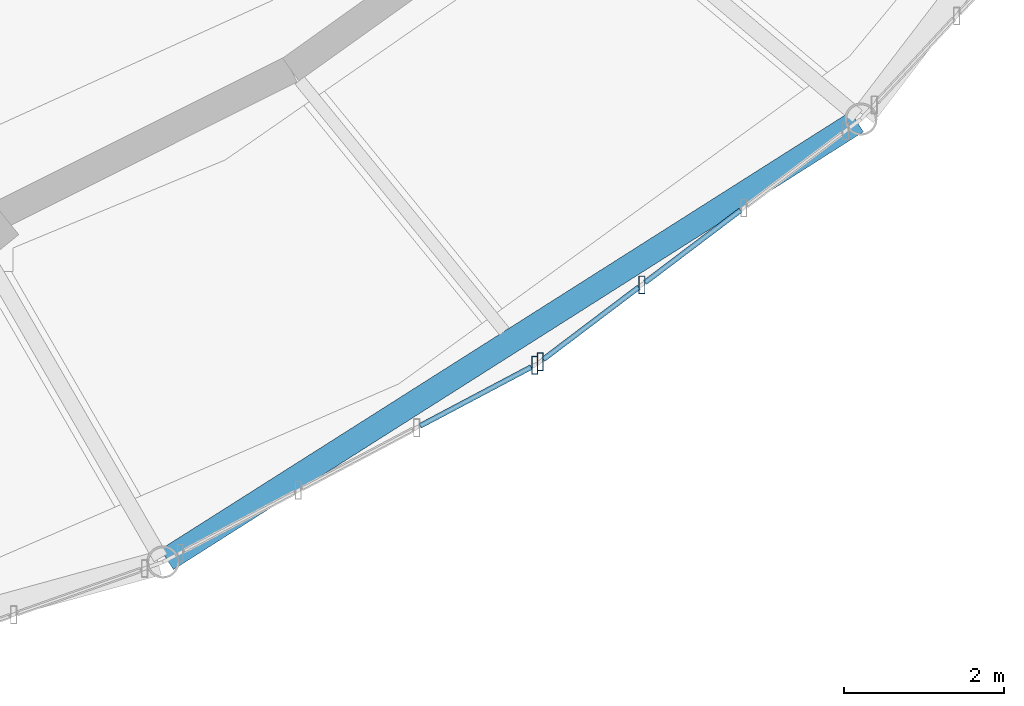
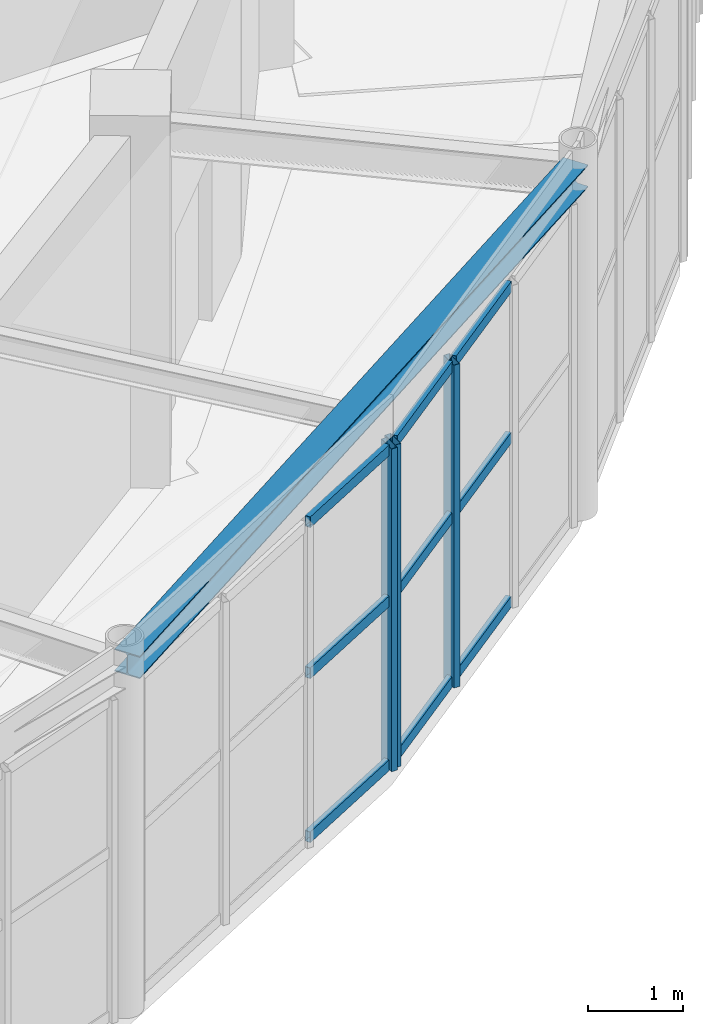
# One storey, part 36 of 100: 12 members, 1 beam, 2 elements without a shape of their own.
"""IFC4 building model written with IfcOpenShell, lengths in metres."""

import ifcopenshell
import ifcopenshell.guid

model = None  # the IFC model being written
_history = None  # IfcOwnerHistory: only IFC2X3 demands one
_inside = {}  # id of a spatial element -> (the spatial element, [elements in it])
_under = {}  # id of a project, library or spatial element -> (it, [spatial elements below it])
_declared = {}  # id of a project -> (the project, [libraries it declares])
_typed = {}  # id of a type object -> (the type object, [elements of that type])
_made_of = {}  # id of a material, layer set ... -> (it, [elements and type objects made of it])


def new_model(schema):
    """Start an empty IFC model of exactly this schema.

    Asked for "IFC4X3", IfcOpenShell would pick the latest addendum, in which some entities
    have other attributes; the version numbers below select the first issue.
    IFC2X3 requires an IfcOwnerHistory on every rooted entity: one is made here for all.
    """
    global model, _history
    if schema == "IFC4X3":
        model = ifcopenshell.file(schema_version=(4, 3, 0, 0))
    else:
        model = ifcopenshell.file(schema=schema)
    _inside.clear()
    _under.clear()
    _declared.clear()
    _typed.clear()
    _made_of.clear()
    _history = None
    if model.schema == "IFC2X3":
        org = make("IfcOrganization", Name="unknown")
        user = make(
            "IfcPersonAndOrganization",
            ThePerson=make("IfcPerson", FamilyName="unknown"),
            TheOrganization=org,
        )
        app = make(
            "IfcApplication",
            ApplicationDeveloper=org,
            Version="unknown",
            ApplicationFullName="unknown",
            ApplicationIdentifier="unknown",
        )
        _history = make(
            "IfcOwnerHistory",
            OwningUser=user,
            OwningApplication=app,
            ChangeAction="ADDED",
            CreationDate=0,
        )
    return model


def make(cls, **values):
    """One entity of the class cls with the attributes given. An attribute that is None is left unset."""
    return model.create_entity(
        cls, **{name: value for name, value in values.items() if value is not None}
    )


def rooted(cls, **values):
    """An entity with a GlobalId (a new one), such as an element, a storey or a relation."""
    return make(cls, GlobalId=ifcopenshell.guid.new(), OwnerHistory=_history, **values)


def si_unit(unit_type, name, prefix=None):
    """IfcSIUnit, for example si_unit("LENGTHUNIT", "METRE", prefix="MILLI")."""
    return make("IfcSIUnit", UnitType=unit_type, Prefix=prefix, Name=name)


def assignment(units):
    """IfcUnitAssignment: the units of a project."""
    return None if units is None else make("IfcUnitAssignment", Units=units)


def point(xyz):
    """IfcCartesianPoint."""
    return None if xyz is None else make("IfcCartesianPoint", Coordinates=xyz)


def direction(xyz):
    """IfcDirection."""
    return None if xyz is None else make("IfcDirection", DirectionRatios=xyz)


def frame(location, z_axis=None, x_axis=None):
    """IfcAxis2Placement3D, a coordinate frame: its origin and axes. An axis left out is left unset."""
    return make(
        "IfcAxis2Placement3D",
        Location=point(location),
        Axis=direction(z_axis),
        RefDirection=direction(x_axis),
    )


def frame_2d(location, x_axis=None):
    """IfcAxis2Placement2D, a coordinate frame in the plane: its origin and x axis."""
    return make(
        "IfcAxis2Placement2D", Location=point(location), RefDirection=direction(x_axis)
    )


def origin():
    """The frame at (0, 0, 0) with its axes left unset."""
    return frame((0.0, 0.0, 0.0))


def origin_2d():
    """The frame at (0, 0) in the plane with its x axis left unset."""
    return frame_2d((0.0, 0.0))


def place(relative_to, where):
    """IfcLocalPlacement: puts the frame where relative to a parent placement (None: the world)."""
    return make(
        "IfcLocalPlacement", PlacementRelTo=relative_to, RelativePlacement=where
    )


def context(
    kind, dimensions, precision=None, world=None, true_north=None, identifier=None
):
    """IfcGeometricRepresentationContext, for example the 3D "Model" context."""
    return make(
        "IfcGeometricRepresentationContext",
        ContextIdentifier=identifier,
        ContextType=kind,
        CoordinateSpaceDimension=dimensions,
        Precision=precision,
        WorldCoordinateSystem=world,
        TrueNorth=true_north,
    )


def subcontext(parent, identifier, kind, view, scale=None):
    """IfcGeometricRepresentationSubContext, for example "Body" below "Model"."""
    return make(
        "IfcGeometricRepresentationSubContext",
        ContextIdentifier=identifier,
        ContextType=kind,
        ParentContext=parent,
        TargetScale=scale,
        TargetView=view,
    )


def project(units=None, contexts=None):
    """IfcProject with its units and contexts."""
    return rooted(
        "IfcProject",
        Name="project",
        RepresentationContexts=contexts,
        UnitsInContext=assignment(units),
    )


def spatial(cls, under=None, at=None, **own):
    """A site, building, storey or space (cls), placed at a placement, below another one or the project."""
    s = rooted(cls, ObjectPlacement=at, **own)
    if under is not None:
        _under.setdefault(under.id(), (under, []))[1].append(s)
    return s


def profile(cls, at=None, kind="AREA", **sizes):
    """A parametric profile (cls). Its sizes go by their IFC names, for example OverallWidth=200.0."""
    return make(cls, ProfileType=kind, Position=at, **sizes)


def hollow_rectangle(**sizes):
    """IfcRectangleHollowProfileDef."""
    return profile("IfcRectangleHollowProfileDef", **sizes)


def i_section(**sizes):
    """IfcIShapeProfileDef."""
    return profile("IfcIShapeProfileDef", **sizes)


def extrude(swept, where, along, depth):
    """IfcExtrudedAreaSolid: the profile swept, set in the frame where, extruded along a direction by depth."""
    return make(
        "IfcExtrudedAreaSolid",
        SweptArea=swept,
        Position=where,
        ExtrudedDirection=direction(along),
        Depth=depth,
    )


def shape(context_of_items, identifier, shape_type, items):
    """IfcShapeRepresentation: the items that make up one representation, for example the "Body"."""
    return make(
        "IfcShapeRepresentation",
        ContextOfItems=context_of_items,
        RepresentationIdentifier=identifier,
        RepresentationType=shape_type,
        Items=items,
    )


def material(Name=None, Category=None):
    """IfcMaterial."""
    return make("IfcMaterial", Name=Name, Category=Category)


def material_profile(
    of_material, cross_section, Name=None, Category=None, Priority=None
):
    """IfcMaterialProfile: a cross section and its material."""
    return make(
        "IfcMaterialProfile",
        Name=Name,
        Material=of_material,
        Profile=cross_section,
        Priority=Priority,
        Category=Category,
    )


def profile_set(profiles, Name=None, composite=None):
    """IfcMaterialProfileSet."""
    return make(
        "IfcMaterialProfileSet",
        Name=Name,
        MaterialProfiles=profiles,
        CompositeProfile=composite,
    )


def made_of(thing, what):
    """Note that an element or type object is made of a material, layer set ...; save() writes the relation."""
    if what is not None:
        _made_of.setdefault(what.id(), (what, []))[1].append(thing)
    return thing


def type_object(cls, material=None, **own):
    """A type object (cls), such as IfcWallType, which elements share."""
    return made_of(rooted(cls, **own), material)


def element(
    cls,
    number,
    at=None,
    inside=None,
    cuts=None,
    type_object=None,
    material=None,
    context=None,
    identifier="Body",
    shape_type=None,
    held_by="IfcProductDefinitionShape",
    body=None,
    shapes=None,
    **own,
):
    """One element of the class cls, such as IfcWall. Its Tag is "e" and its number.

    at: its placement. inside: the storey or other place that contains it. cuts: it is an
    opening in that element (IfcRelVoidsElement). A single representation is given by context,
    identifier, shape_type and body (its items); several are given by shapes. held_by: the class
    of the entity that holds the representations. save() writes the other relations.
    """
    e = rooted(cls, Tag="e%d" % number, ObjectPlacement=at, **own)
    if body is not None:
        shapes = [shape(context, identifier, shape_type, body)]
    if shapes is not None:
        e.Representation = make(held_by, Representations=shapes)
    if inside is not None:
        _inside.setdefault(inside.id(), (inside, []))[1].append(e)
    if cuts is not None:
        rooted(
            "IfcRelVoidsElement", RelatingBuildingElement=cuts, RelatedOpeningElement=e
        )
    if type_object is not None:
        _typed.setdefault(type_object.id(), (type_object, []))[1].append(e)
    return made_of(e, material)


def aggregate(whole, parts):
    """IfcRelAggregates: a whole, such as a stair, and the parts it consists of."""
    return rooted("IfcRelAggregates", RelatingObject=whole, RelatedObjects=parts)


def save(model, path):
    """Write the relations noted so far, then the file.

    IfcRelAggregates (storeys below a building ...), IfcRelContainedInSpatialStructure (elements
    in a storey), IfcRelDefinesByType, IfcRelAssociatesMaterial and IfcRelDeclares: one each for
    every whole, place, type object, material and project.
    """
    for whole, parts in _under.values():
        aggregate(whole, parts)
    for where, things in _inside.values():
        rooted(
            "IfcRelContainedInSpatialStructure",
            RelatedElements=things,
            RelatingStructure=where,
        )
    for kind, things in _typed.values():
        rooted("IfcRelDefinesByType", RelatedObjects=things, RelatingType=kind)
    for what, things in _made_of.values():
        rooted("IfcRelAssociatesMaterial", RelatedObjects=things, RelatingMaterial=what)
    for by, libraries in _declared.values():
        rooted("IfcRelDeclares", RelatingContext=by, RelatedDefinitions=libraries)
    model.write(path)


model = new_model("IFC4")

# Units and contexts
model_context = context("Model", 3, precision=1e-05, world=origin(), true_north=direction((0.0, 1.0)))
body_context = subcontext(model_context, "Body", "Model", "MODEL_VIEW")
ifc_project = project(units=[si_unit("LENGTHUNIT", "METRE"), si_unit("AREAUNIT", "SQUARE_METRE"), si_unit("VOLUMEUNIT", "CUBIC_METRE"), si_unit("PLANEANGLEUNIT", "RADIAN"), si_unit("MASSUNIT", "GRAM", prefix="KILO")], contexts=[model_context])

# Site, building, storey
site_placement = place(None, origin())
site = spatial("IfcSite", under=ifc_project, at=site_placement, CompositionType="ELEMENT")
building_placement = place(site_placement, origin())
building = spatial("IfcBuilding", under=site, at=building_placement, Name="Tarnveldt Headland Concert Hall", CompositionType="ELEMENT")
storey_placement = place(building_placement, frame((0.0, 0.0, 4.800048828125)))
storey = spatial("IfcBuildingStorey", under=building, at=storey_placement, Name="L01", CompositionType="ELEMENT", Elevation=4.800048828125)

# Curtain wall, member
ifc_material_1 = material(Name="Marine-anodised aluminium EN AW-6063-T6", Category="aluminium")
curtain_wall_type = type_object("IfcCurtainWallType", Name="CW-F2", PredefinedType="NOTDEFINED", material=ifc_material_1)
curtain_wall_1_placement = place(storey_placement, origin())
curtain_wall_1 = element("IfcCurtainWall", 1, at=curtain_wall_1_placement, inside=storey, type_object=curtain_wall_type, Name="Curtain wall CW-L01-055", PredefinedType="NOTDEFINED")
ifc_material_profile_1 = material_profile(ifc_material_1, hollow_rectangle(XDim=0.074951171875, YDim=0.219970703125, WallThickness=0.0048828125, at=origin_2d()), Name="ALU MULLION 75x220x5", Category="aluminium")
ifc_profile_set_1 = profile_set([ifc_material_profile_1], Name="Marine-anodised aluminium EN AW-6063-T6")
member_type_1 = type_object("IfcMemberType", Name="ML-200", PredefinedType="MULLION", material=ifc_profile_set_1)
member_1_placement = place(storey_placement, frame((104.548095703125, 35.4833984375, 0.0), z_axis=(0.0, 0.0, 1.0), x_axis=(1.0, 0.0, 0.0)))
member_1 = element("IfcMember", 2, at=member_1_placement, type_object=member_type_1, Name="Mullion CW-L01-055-4", PredefinedType="MULLION", context=body_context, shape_type="SweptSolid", body=[
    extrude(hollow_rectangle(XDim=0.074951171875, YDim=0.219970703125, WallThickness=0.0048828125, at=origin_2d()), origin(), (0.0, 0.0, 1.0), 4.159912109375),
])

# Curtain wall, members
curtain_wall_2_placement = place(storey_placement, origin())
curtain_wall_2 = element("IfcCurtainWall", 3, at=curtain_wall_2_placement, inside=storey, type_object=curtain_wall_type, Name="Curtain wall CW-L01-056", PredefinedType="NOTDEFINED")
member_2_placement = place(storey_placement, frame((104.615234375, 35.526123046875, 0.0), z_axis=(0.0, 0.0, 1.0), x_axis=(1.0, 0.0, 0.0)))
member_2 = element("IfcMember", 4, at=member_2_placement, type_object=member_type_1, Name="Mullion CW-L01-056-1", PredefinedType="MULLION", context=body_context, shape_type="SweptSolid", body=[
    extrude(hollow_rectangle(XDim=0.074951171875, YDim=0.219970703125, WallThickness=0.0048828125, at=origin_2d()), origin(), (0.0, 0.0, 1.0), 4.159912109375),
])
member_3_placement = place(storey_placement, frame((105.8876953125, 36.48828125, 0.0), z_axis=(0.0, 0.0, 1.0), x_axis=(1.0, 0.0, 0.0)))
member_3 = element("IfcMember", 5, at=member_3_placement, type_object=member_type_1, Name="Mullion CW-L01-056-2", PredefinedType="MULLION", context=body_context, shape_type="SweptSolid", body=[
    extrude(hollow_rectangle(XDim=0.074951171875, YDim=0.219970703125, WallThickness=0.0048828125, at=origin_2d()), origin(), (0.0, 0.0, 1.0), 4.159912109375),
])

# Beam
ifc_material_2 = material(Name="Steel S355", Category="steel")
ifc_material_profile_2 = material_profile(ifc_material_2, i_section(OverallWidth=0.300048828125, OverallDepth=0.2900390625, WebThickness=0.008544921875, FlangeThickness=0.013916015625, FilletRadius=0.027099609375, at=origin_2d()), Name="HEA300", Category="steel")
ifc_profile_set_2 = profile_set([ifc_material_profile_2], Name="Steel S355")
beam_type = type_object("IfcBeamType", Name="SB-HEA300", PredefinedType="SPANDREL", material=ifc_profile_set_2)
beam_placement = place(storey_placement, frame((99.95068359375, 33.0546875, 4.39501953125), z_axis=(0.844390967344, 0.535727444012, 0.0), x_axis=(-0.535727444012, 0.844390967344, 0.0)))
element("IfcBeam", 6, at=beam_placement, inside=storey, type_object=beam_type, Name="Framing beam L01-723", PredefinedType="SPANDREL", context=body_context, shape_type="SweptSolid", body=[
    extrude(i_section(OverallWidth=0.300048828125, OverallDepth=0.2900390625, WebThickness=0.008544921875, FlangeThickness=0.013916015625, FilletRadius=0.027099609375, at=origin_2d()), origin(), (0.0, 0.0, 1.0), 10.21435546875),
])

# Member
ifc_material_profile_3 = material_profile(ifc_material_1, hollow_rectangle(XDim=0.06494140625, YDim=0.139892578125, WallThickness=0.00390625, at=origin_2d()), Name="ALU TRANSOM 65x140x4", Category="aluminium")
ifc_profile_set_3 = profile_set([ifc_material_profile_3], Name="Marine-anodised aluminium EN AW-6063-T6")
member_type_2 = type_object("IfcMemberType", Name="TR-140", PredefinedType="MEMBER", material=ifc_profile_set_3)
member_4_placement = place(storey_placement, frame((103.114013671875, 34.72412109375, 0.050048828125), z_axis=(0.883787916347, 0.467887720419, 0.0), x_axis=(-0.467887720419, 0.883787916347, 0.0)))
member_4 = element("IfcMember", 7, at=member_4_placement, type_object=member_type_2, Name="Transom CW-L01-055-3-1", PredefinedType="MEMBER", context=body_context, shape_type="SweptSolid", body=[
    extrude(hollow_rectangle(XDim=0.06494140625, YDim=0.139892578125, WallThickness=0.00390625, at=origin_2d()), origin(), (0.0, 0.0, 1.0), 1.5732421875),
])

member_5_placement = place(storey_placement, frame((103.114013671875, 34.72412109375, 2.1630859375), z_axis=(0.883787916347, 0.467887720419, 0.0), x_axis=(-0.467887720419, 0.883787916347, 0.0)))
member_5 = element("IfcMember", 8, at=member_5_placement, type_object=member_type_2, Name="Transom CW-L01-055-3-2", PredefinedType="MEMBER", context=body_context, shape_type="SweptSolid", body=[
    extrude(hollow_rectangle(XDim=0.06494140625, YDim=0.139892578125, WallThickness=0.00390625, at=origin_2d()), origin(), (0.0, 0.0, 1.0), 1.5732421875),
])

member_6_placement = place(storey_placement, frame((103.114013671875, 34.72412109375, 4.10986328125), z_axis=(0.883787916347, 0.467887720419, 0.0), x_axis=(-0.467887720419, 0.883787916347, 0.0)))
member_6 = element("IfcMember", 9, at=member_6_placement, type_object=member_type_2, Name="Transom CW-L01-055-3-3", PredefinedType="MEMBER", context=body_context, shape_type="SweptSolid", body=[
    extrude(hollow_rectangle(XDim=0.06494140625, YDim=0.139892578125, WallThickness=0.00390625, at=origin_2d()), origin(), (0.0, 0.0, 1.0), 1.5732421875),
])

aggregate(curtain_wall_1, [member_1, member_4, member_5, member_6])

member_7_placement = place(storey_placement, frame((104.65478515625, 35.55615234375, 0.050048828125), z_axis=(0.797722519103, 0.603024694781, 0.0), x_axis=(-0.603024694781, 0.797722519103, 0.0)))
member_7 = element("IfcMember", 10, at=member_7_placement, type_object=member_type_2, Name="Transom CW-L01-056-1-1", PredefinedType="MEMBER", context=body_context, shape_type="SweptSolid", body=[
    extrude(hollow_rectangle(XDim=0.06494140625, YDim=0.139892578125, WallThickness=0.00390625, at=origin_2d()), origin(), (0.0, 0.0, 1.0), 1.495849609375),
])

member_8_placement = place(storey_placement, frame((104.65478515625, 35.55615234375, 2.1630859375), z_axis=(0.797722519103, 0.603024694781, 0.0), x_axis=(-0.603024694781, 0.797722519103, 0.0)))
member_8 = element("IfcMember", 11, at=member_8_placement, type_object=member_type_2, Name="Transom CW-L01-056-1-2", PredefinedType="MEMBER", context=body_context, shape_type="SweptSolid", body=[
    extrude(hollow_rectangle(XDim=0.06494140625, YDim=0.139892578125, WallThickness=0.00390625, at=origin_2d()), origin(), (0.0, 0.0, 1.0), 1.495849609375),
])

member_9_placement = place(storey_placement, frame((104.65478515625, 35.55615234375, 4.10986328125), z_axis=(0.797722519103, 0.603024694781, 0.0), x_axis=(-0.603024694781, 0.797722519103, 0.0)))
member_9 = element("IfcMember", 12, at=member_9_placement, type_object=member_type_2, Name="Transom CW-L01-056-1-3", PredefinedType="MEMBER", context=body_context, shape_type="SweptSolid", body=[
    extrude(hollow_rectangle(XDim=0.06494140625, YDim=0.139892578125, WallThickness=0.00390625, at=origin_2d()), origin(), (0.0, 0.0, 1.0), 1.495849609375),
])

member_10_placement = place(storey_placement, frame((105.927001953125, 36.51806640625, 0.050048828125), z_axis=(0.797703362138, 0.603050036094, 0.0), x_axis=(-0.603050036094, 0.797703362138, 0.0)))
member_10 = element("IfcMember", 13, at=member_10_placement, type_object=member_type_2, Name="Transom CW-L01-056-2-1", PredefinedType="MEMBER", context=body_context, shape_type="SweptSolid", body=[
    extrude(hollow_rectangle(XDim=0.06494140625, YDim=0.139892578125, WallThickness=0.00390625, at=origin_2d()), origin(), (0.0, 0.0, 1.0), 1.496337890625),
])

member_11_placement = place(storey_placement, frame((105.927001953125, 36.51806640625, 2.1630859375), z_axis=(0.797703362138, 0.603050036094, 0.0), x_axis=(-0.603050036094, 0.797703362138, 0.0)))
member_11 = element("IfcMember", 14, at=member_11_placement, type_object=member_type_2, Name="Transom CW-L01-056-2-2", PredefinedType="MEMBER", context=body_context, shape_type="SweptSolid", body=[
    extrude(hollow_rectangle(XDim=0.06494140625, YDim=0.139892578125, WallThickness=0.00390625, at=origin_2d()), origin(), (0.0, 0.0, 1.0), 1.496337890625),
])

member_12_placement = place(storey_placement, frame((105.927001953125, 36.51806640625, 4.10986328125), z_axis=(0.797703362138, 0.603050036094, 0.0), x_axis=(-0.603050036094, 0.797703362138, 0.0)))
member_12 = element("IfcMember", 15, at=member_12_placement, type_object=member_type_2, Name="Transom CW-L01-056-2-3", PredefinedType="MEMBER", context=body_context, shape_type="SweptSolid", body=[
    extrude(hollow_rectangle(XDim=0.06494140625, YDim=0.139892578125, WallThickness=0.00390625, at=origin_2d()), origin(), (0.0, 0.0, 1.0), 1.496337890625),
])

aggregate(curtain_wall_2, [member_2, member_3, member_7, member_8, member_9, member_10, member_11, member_12])

save(model, "model.ifc")
